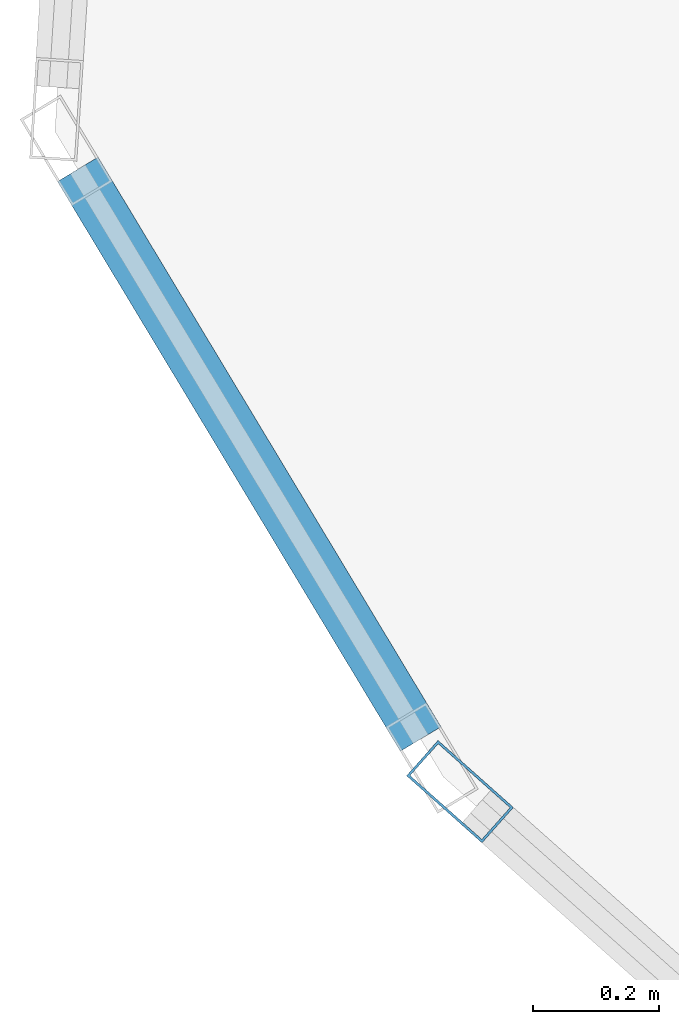
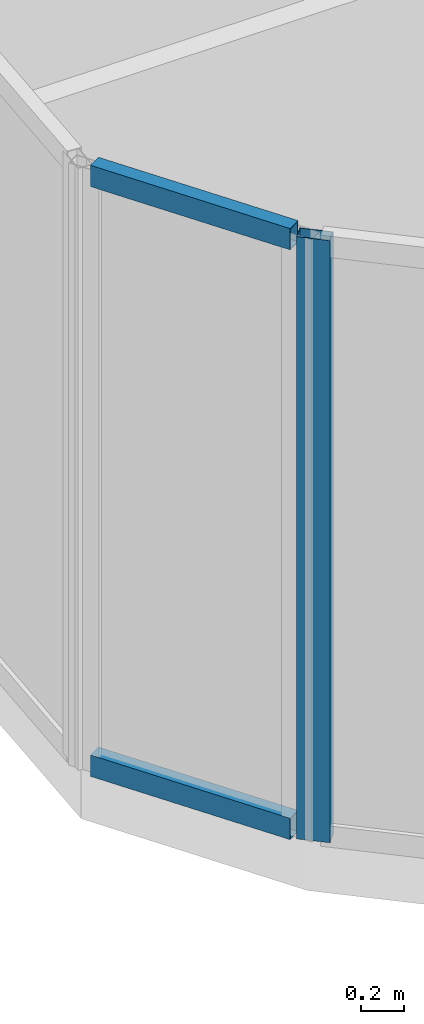
# One storey, part 4 of 28: 3 members, 2 elements without a shape of their own.
"""IFC4 building model written with IfcOpenShell, lengths in metres."""

from ifc_helpers import new_model, si_unit, direction, frame, origin, origin_2d, place, context, subcontext, project, spatial, hollow_rectangle, extrude, material, layer, layer_set, material_profile, profile_set, type_object, element, aggregate, save


model = new_model("IFC4")

# Units and contexts
model_context = context("Model", 3, precision=1e-05, world=origin(), true_north=direction((0.0, 1.0)))
body_context = subcontext(model_context, "Body", "Model", "MODEL_VIEW")
ifc_project = project(units=[si_unit("LENGTHUNIT", "METRE"), si_unit("AREAUNIT", "SQUARE_METRE"), si_unit("VOLUMEUNIT", "CUBIC_METRE"), si_unit("PLANEANGLEUNIT", "RADIAN"), si_unit("MASSUNIT", "GRAM", prefix="KILO")], contexts=[model_context])

# Site, building, storey
site_placement = place(None, origin())
site = spatial("IfcSite", under=ifc_project, at=site_placement, CompositionType="ELEMENT")
building_placement = place(site_placement, origin())
building = spatial("IfcBuilding", under=site, at=building_placement, Name="Keshet Zoharim Tower", CompositionType="ELEMENT")
storey_placement = place(building_placement, frame((0.0, 0.0, 303.60009765625)))
storey = spatial("IfcBuildingStorey", under=building, at=storey_placement, Name="L76", CompositionType="ELEMENT", Elevation=303.60009765625)

# Curtain wall, member
ifc_material = material(Name="Aluminium 6063-T6", Category="aluminium")
ifc_layer = layer(ifc_material, 0.260009765625)
ifc_layer_set = layer_set([ifc_layer], Name="Aluminium 6063-T6")
curtain_wall_type = type_object("IfcCurtainWallType", Name="CW-SYS-06", PredefinedType="NOTDEFINED", material=ifc_layer_set)
curtain_wall_1_placement = place(storey_placement, origin())
curtain_wall_1 = element("IfcCurtainWall", 1, at=curtain_wall_1_placement, inside=storey, type_object=curtain_wall_type, Name="L76 Unitised Curtain Wall 16 Part 3", PredefinedType="NOTDEFINED")
ifc_material_profile_1 = material_profile(ifc_material, hollow_rectangle(XDim=0.074951171875, YDim=0.159912109375, WallThickness=0.00390625, at=origin_2d()), Name="MUL-75x160")
ifc_profile_set_1 = profile_set([ifc_material_profile_1], Name="Aluminium 6063-T6")
member_type_1 = type_object("IfcMemberType", Name="CWM-M15", PredefinedType="MULLION", material=ifc_profile_set_1)
member_1_placement = place(storey_placement, frame((4.061279296875, 21.7568359375, 0.0), z_axis=(0.0, 0.0, 1.0), x_axis=(-0.664363838836, -0.747409318679, 0.0)))
member_1 = element("IfcMember", 2, at=member_1_placement, type_object=member_type_1, Name="CW-06 mullion 2", PredefinedType="MULLION", context=body_context, shape_type="SweptSolid", body=[
    extrude(hollow_rectangle(XDim=0.074951171875, YDim=0.159912109375, WallThickness=0.00390625, at=origin_2d()), origin(), (0.0, 0.0, 1.0), 3.389892578125),
])
aggregate(curtain_wall_1, [member_1])

# Curtain wall, members
curtain_wall_2_placement = place(storey_placement, origin())
curtain_wall_2 = element("IfcCurtainWall", 3, at=curtain_wall_2_placement, inside=storey, type_object=curtain_wall_type, Name="L76 Unitised Curtain Wall 01", PredefinedType="NOTDEFINED")
ifc_material_profile_2 = material_profile(ifc_material, hollow_rectangle(XDim=0.074951171875, YDim=0.1201171875, WallThickness=0.00390625, at=origin_2d()), Name="TRN-75x120")
ifc_profile_set_2 = profile_set([ifc_material_profile_2], Name="Aluminium 6063-T6")
member_type_2 = type_object("IfcMemberType", Name="CWT-T12", PredefinedType="USERDEFINED", material=ifc_profile_set_2)
member_2_placement = place(storey_placement, frame((3.9990234375, 21.840087890625, 0.034912109375), z_axis=(-0.515791194107, 0.856714330499, 0.0), x_axis=(-0.856714330499, -0.515791194107, 0.0)))
member_2 = element("IfcMember", 4, at=member_2_placement, type_object=member_type_2, Name="CW-06 transom 1.1", ObjectType="TRANSOM", PredefinedType="USERDEFINED", context=body_context, shape_type="SweptSolid", body=[
    extrude(hollow_rectangle(XDim=0.074951171875, YDim=0.1201171875, WallThickness=0.00390625, at=origin_2d()), origin(), (0.0, 0.0, 1.0), 1.052734375),
])
member_3_placement = place(storey_placement, frame((3.9990234375, 21.840087890625, 3.35498046875), z_axis=(-0.515791194107, 0.856714330499, 0.0), x_axis=(-0.856714330499, -0.515791194107, 0.0)))
member_3 = element("IfcMember", 5, at=member_3_placement, type_object=member_type_2, Name="CW-06 transom 1.2", ObjectType="TRANSOM", PredefinedType="USERDEFINED", context=body_context, shape_type="SweptSolid", body=[
    extrude(hollow_rectangle(XDim=0.074951171875, YDim=0.1201171875, WallThickness=0.00390625, at=origin_2d()), origin(), (0.0, 0.0, 1.0), 1.052734375),
])
aggregate(curtain_wall_2, [member_2, member_3])

save(model, "model.ifc")
